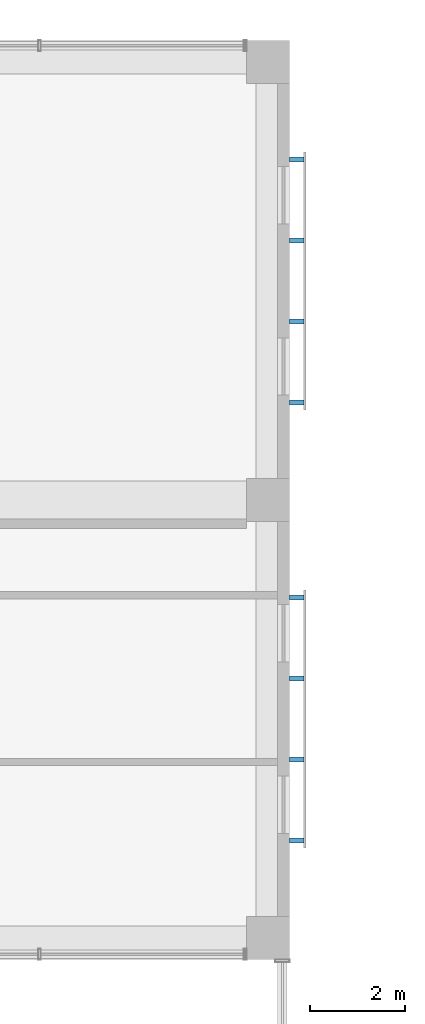
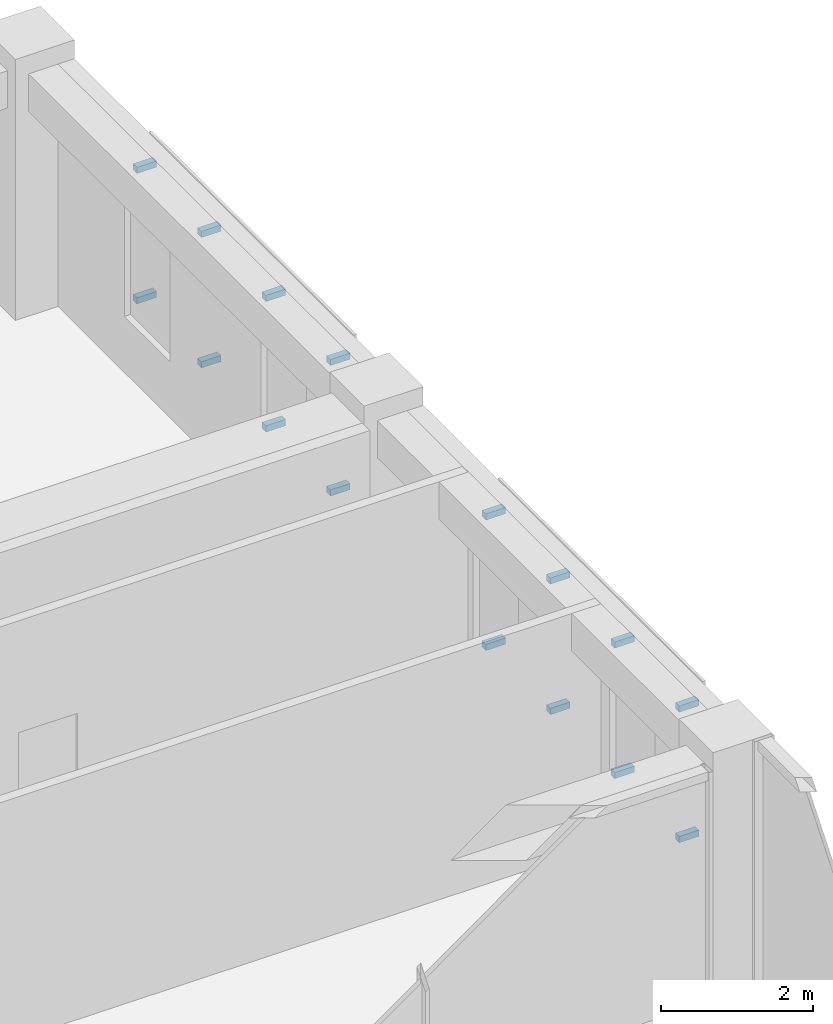
# One storey, part 30 of 36: 16 discrete accessories.
"""IFC4 building model written with IfcOpenShell, lengths in metres."""

from ifc_helpers import new_model, si_unit, direction, frame, origin, origin_2d, place, context, subcontext, project, spatial, rectangle, extrude, element, save


model = new_model("IFC4")

# Units and contexts
model_context = context("Model", 3, precision=1e-05, world=origin(), true_north=direction((0.0, 1.0)))
body_context = subcontext(model_context, "Body", "Model", "MODEL_VIEW")
ifc_project = project(units=[si_unit("LENGTHUNIT", "METRE"), si_unit("AREAUNIT", "SQUARE_METRE"), si_unit("VOLUMEUNIT", "CUBIC_METRE"), si_unit("PLANEANGLEUNIT", "RADIAN"), si_unit("MASSUNIT", "GRAM", prefix="KILO")], contexts=[model_context])

# Site, building, storey
site_placement = place(None, origin())
site = spatial("IfcSite", under=ifc_project, at=site_placement, CompositionType="ELEMENT")
building_placement = place(site_placement, origin())
building = spatial("IfcBuilding", under=site, at=building_placement, Name="Nzadi Deep Aquarium and Research Tower", CompositionType="ELEMENT")
storey_placement = place(building_placement, frame((0.0, 0.0, 40.300048828125)))
storey = spatial("IfcBuildingStorey", under=building, at=storey_placement, Name="L07", CompositionType="ELEMENT", Elevation=40.300048828125)

# Discrete accessories
for number, where, z_axis, x_axis, name in (
    (1, (48.60009765625, 29.64990234375, 0.949951171875), (0.0, 0.0, 1.0), (1.0, 0.0, 0.0), "Screen bracket L07"),
    (2, (48.60009765625, 29.64990234375, 3.0498046875), (0.0, 0.0, 1.0), (1.0, 0.0, 0.0), "Screen bracket L07"),
    (3, (48.60009765625, 31.35009765625, 0.949951171875), (0.0, 0.0, 1.0), (1.0, 0.0, 0.0), "Screen bracket L07"),
    (4, (48.60009765625, 31.35009765625, 3.0498046875), (0.0, 0.0, 1.0), (1.0, 0.0, 0.0), "Screen bracket L07"),
    (5, (48.60009765625, 33.050048828125, 0.949951171875), (0.0, 0.0, 1.0), (1.0, 0.0, 0.0), "Screen bracket L07"),
    (6, (48.60009765625, 33.050048828125, 3.0498046875), (0.0, 0.0, 1.0), (1.0, 0.0, 0.0), "Screen bracket L07"),
    (7, (48.60009765625, 34.75, 0.949951171875), (0.0, 0.0, 1.0), (1.0, 0.0, 0.0), "Screen bracket L07"),
    (8, (48.60009765625, 34.75, 3.0498046875), (0.0, 0.0, 1.0), (1.0, 0.0, 0.0), "Screen bracket L07"),
    (9, (48.60009765625, 38.85009765625, 0.949951171875), (0.0, 0.0, 1.0), (1.0, 0.0, 0.0), "Screen bracket L07"),
    (10, (48.60009765625, 38.85009765625, 3.0498046875), (0.0, 0.0, 1.0), (1.0, 0.0, 0.0), "Screen bracket L07"),
    (11, (48.60009765625, 40.550048828125, 0.949951171875), (0.0, 0.0, 1.0), (1.0, 0.0, 0.0), "Screen bracket L07"),
    (12, (48.60009765625, 40.550048828125, 3.0498046875), (0.0, 0.0, 1.0), (1.0, 0.0, 0.0), "Screen bracket L07"),
    (13, (48.60009765625, 42.25, 0.949951171875), (0.0, 0.0, 1.0), (1.0, 0.0, 0.0), "Screen bracket L07"),
    (14, (48.60009765625, 42.25, 3.0498046875), (0.0, 0.0, 1.0), (1.0, 0.0, 0.0), "Screen bracket L07"),
    (15, (48.60009765625, 43.949951171875, 0.949951171875), (0.0, 0.0, 1.0), (1.0, 0.0, 0.0), "Screen bracket L07"),
    (16, (48.60009765625, 43.949951171875, 3.0498046875), (0.0, 0.0, 1.0), (1.0, 0.0, 0.0), "Screen bracket L07"),
):
    element("IfcDiscreteAccessory", number, at=place(storey_placement, frame(where, z_axis=z_axis, x_axis=x_axis)), inside=storey, Name=name, PredefinedType="BRACKET", context=body_context, shape_type="SweptSolid", body=[
        extrude(rectangle(XDim=0.300048828125, YDim=0.10009765625, at=origin_2d()), origin(), (0.0, 0.0, 1.0), 0.10009765625),
    ])

save(model, "model.ifc")
